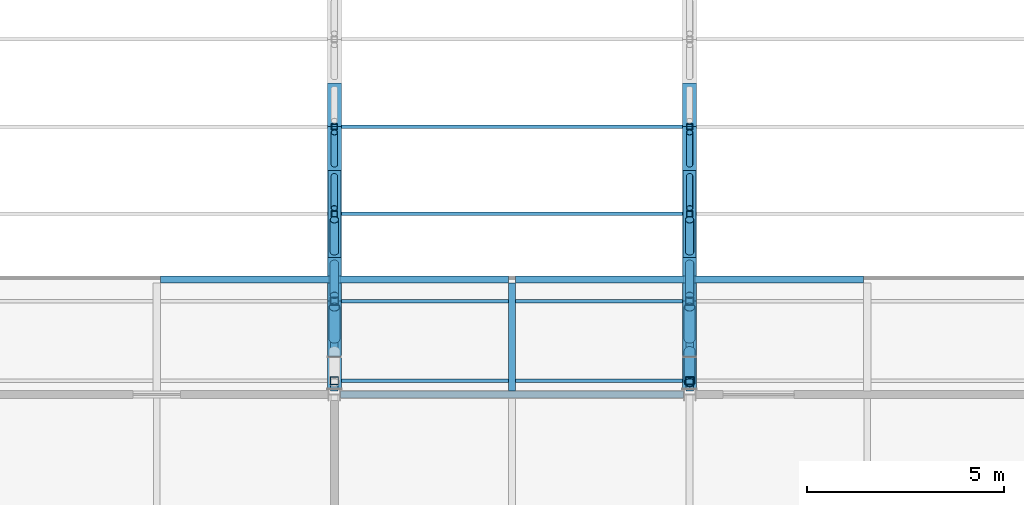
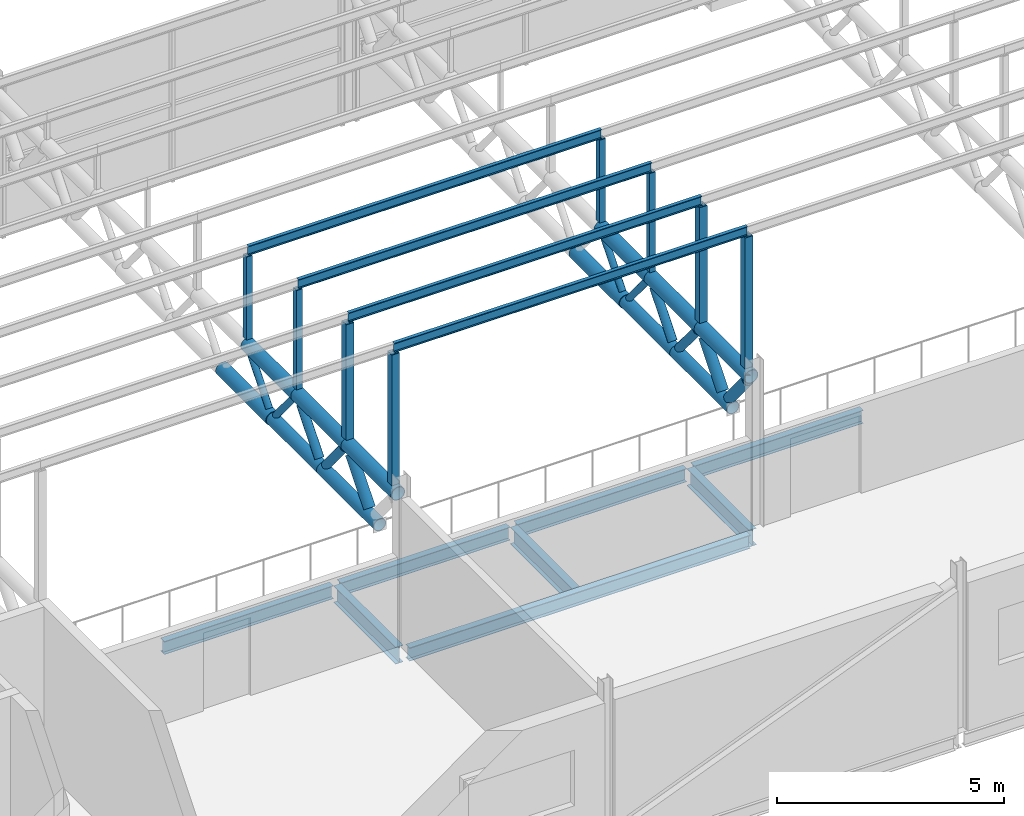
# One storey, part 51 of 138: 35 members, 8 beams.
"""IFC4 building model written with IfcOpenShell, lengths in metres."""

from ifc_helpers import new_model, si_unit, direction, frame, origin, origin_2d, place, context, subcontext, project, spatial, hollow_rectangle, hollow_circle, i_section, extrude, material, material_profile, profile_set, type_object, element, save


model = new_model("IFC4")

# Units and contexts
model_context = context("Model", 3, precision=1e-05, world=origin(), true_north=direction((0.0, 1.0)))
body_context = subcontext(model_context, "Body", "Model", "MODEL_VIEW")
ifc_project = project(units=[si_unit("LENGTHUNIT", "METRE"), si_unit("AREAUNIT", "SQUARE_METRE"), si_unit("VOLUMEUNIT", "CUBIC_METRE"), si_unit("PLANEANGLEUNIT", "RADIAN"), si_unit("MASSUNIT", "GRAM", prefix="KILO")], contexts=[model_context])

# Site, building, storey
site_placement = place(None, origin())
site = spatial("IfcSite", under=ifc_project, at=site_placement, CompositionType="ELEMENT")
building_placement = place(site_placement, origin())
building = spatial("IfcBuilding", under=site, at=building_placement, Name="Corbel Yard City Hall", CompositionType="ELEMENT")
storey_placement = place(building_placement, frame((0.0, 0.0, 10.5)))
storey = spatial("IfcBuildingStorey", under=building, at=storey_placement, Name="L02", CompositionType="ELEMENT", Elevation=10.5)

# Beams
ifc_material_1 = material(Name="Steel Grade 300 (300 MPa yield)", Category="steel")
ifc_material_profile_1 = material_profile(ifc_material_1, i_section(OverallWidth=0.172119140625, OverallDepth=0.35888671875, WebThickness=0.008056640625, FlangeThickness=0.012939453125, at=origin_2d()), Name="360UB56.7")
ifc_profile_set_1 = profile_set([ifc_material_profile_1], Name="Steel Grade 300 (300 MPa yield)")
beam_type_1 = type_object("IfcBeamType", Name="Edge beam 360UB56.7", PredefinedType="BEAM", material=ifc_profile_set_1)
beam_placement = place(storey_placement, frame((99.157470703125, 9.0, -0.32958984375), z_axis=(1.0, 0.0, 0.0), x_axis=(0.0, 1.0, 0.0)))
element("IfcBeam", 1, at=beam_placement, inside=storey, type_object=beam_type_1, Name="Edge beam 360UB56.7 EB4 L02floor", PredefinedType="BEAM", context=body_context, shape_type="SweptSolid", body=[
    extrude(i_section(OverallWidth=0.172119140625, OverallDepth=0.35888671875, WebThickness=0.008056640625, FlangeThickness=0.012939453125, at=origin_2d()), origin(), (0.0, 0.0, 1.0), 8.68505859375),
])
ifc_material_profile_2 = material_profile(ifc_material_1, i_section(OverallWidth=0.18994140625, OverallDepth=0.4541015625, WebThickness=0.008544921875, FlangeThickness=0.0126953125, at=origin_2d()), Name="460UB67.1")
ifc_profile_set_2 = profile_set([ifc_material_profile_2], Name="Steel Grade 300 (300 MPa yield)")
beam_type_2 = type_object("IfcBeamType", Name="Gallery bracket 460UB67.1", PredefinedType="BEAM", material=ifc_profile_set_2)
for number, where, z_axis, x_axis, name in (
    (2, (99.0, 9.0859375, -0.376953125), (0.0, 1.0, 0.0), (-1.0, 0.0, 0.0), "Gallery bracket 460UB67.1 CB2 L02"),
    (3, (103.5, 9.0859375, -0.376953125), (0.0, 1.0, 0.0), (-1.0, 0.0, 0.0), "Gallery bracket 460UB67.1 CB2 L02"),
    (4, (108.0, 9.0859375, -0.376953125), (0.0, 1.0, 0.0), (-1.0, 0.0, 0.0), "Gallery bracket 460UB67.1 CB2 L02"),
):
    element("IfcBeam", number, at=place(storey_placement, frame(where, z_axis=z_axis, x_axis=x_axis)), inside=storey, type_object=beam_type_2, Name=name, PredefinedType="BEAM", context=body_context, shape_type="SweptSolid", body=[
        extrude(i_section(OverallWidth=0.18994140625, OverallDepth=0.4541015625, WebThickness=0.008544921875, FlangeThickness=0.0126953125, at=origin_2d()), origin(), (0.0, 0.0, 1.0), 2.7431640625),
    ])
ifc_material_profile_3 = material_profile(ifc_material_1, i_section(OverallWidth=0.1708984375, OverallDepth=0.35205078125, WebThickness=0.0068359375, FlangeThickness=0.009765625, at=origin_2d()), Name="360UB44.7")
ifc_profile_set_3 = profile_set([ifc_material_profile_3], Name="Steel Grade 300 (300 MPa yield)")
beam_type_3 = type_object("IfcBeamType", Name="Gallery edge beam 360UB44.7", PredefinedType="BEAM", material=ifc_profile_set_3)
for number, where, z_axis, x_axis, name in (
    (5, (94.594970703125, 11.91455078125, -0.325927734375), (1.0, 0.0, 0.0), (0.0, 1.0, 0.0), "Gallery edge beam 360UB44.7 EB13 L02"),
    (6, (99.094970703125, 11.91455078125, -0.325927734375), (1.0, 0.0, 0.0), (0.0, 1.0, 0.0), "Gallery edge beam 360UB44.7 EB13 L02"),
    (7, (103.594970703125, 11.91455078125, -0.325927734375), (1.0, 0.0, 0.0), (0.0, 1.0, 0.0), "Gallery edge beam 360UB44.7 EB13 L02"),
    (8, (108.094970703125, 11.91455078125, -0.325927734375), (1.0, 0.0, 0.0), (0.0, 1.0, 0.0), "Gallery edge beam 360UB44.7 EB13 L02"),
):
    element("IfcBeam", number, at=place(storey_placement, frame(where, z_axis=z_axis, x_axis=x_axis)), inside=storey, type_object=beam_type_3, Name=name, PredefinedType="BEAM", context=body_context, shape_type="SweptSolid", body=[
        extrude(i_section(OverallWidth=0.1708984375, OverallDepth=0.35205078125, WebThickness=0.0068359375, FlangeThickness=0.009765625, at=origin_2d()), origin(), (0.0, 0.0, 1.0), 4.31005859375),
    ])

# Members
ifc_material_2 = material(Name="Steel Grade C350L0", Category="steel")
ifc_material_profile_4 = material_profile(ifc_material_2, hollow_circle(Radius=0.161865234375, WallThickness=0.0126953125, at=origin_2d()), Name="323.9x12.7CHS")
ifc_profile_set_4 = profile_set([ifc_material_profile_4], Name="Steel Grade C350L0")
member_type_1 = type_object("IfcMemberType", Name="Hall roof truss bottom chord 323.9x12.7CHS", PredefinedType="CHORD", material=ifc_profile_set_4)
member_1_placement = place(storey_placement, frame((99.0, 9.95849609375, 2.59228515625), z_axis=(0.0, 1.0, 0.0), x_axis=(-1.0, 0.0, 0.0)))
element("IfcMember", 9, at=member_1_placement, inside=storey, type_object=member_type_1, Name="Hall roof truss bottom chord 323.9x12.7CHS TC2", PredefinedType="CHORD", context=body_context, shape_type="SweptSolid", body=[
    extrude(hollow_circle(Radius=0.161865234375, WallThickness=0.0126953125, at=origin_2d()), origin(), (0.0, 0.0, 1.0), 2.51171875),
])
member_2_placement = place(storey_placement, frame((99.0, 12.47021484375, 2.59228515625), z_axis=(0.0, 1.0, 0.0), x_axis=(-1.0, 0.0, 0.0)))
element("IfcMember", 10, at=member_2_placement, inside=storey, type_object=member_type_1, Name="Hall roof truss bottom chord 323.9x12.7CHS TC2", PredefinedType="CHORD", context=body_context, shape_type="SweptSolid", body=[
    extrude(hollow_circle(Radius=0.161865234375, WallThickness=0.0126953125, at=origin_2d()), origin(), (0.0, 0.0, 1.0), 2.2119140625),
])
member_3_placement = place(storey_placement, frame((108.0, 9.95849609375, 2.59228515625), z_axis=(0.0, 1.0, 0.0), x_axis=(-1.0, 0.0, 0.0)))
element("IfcMember", 11, at=member_3_placement, inside=storey, type_object=member_type_1, Name="Hall roof truss bottom chord 323.9x12.7CHS TC2", PredefinedType="CHORD", context=body_context, shape_type="SweptSolid", body=[
    extrude(hollow_circle(Radius=0.161865234375, WallThickness=0.0126953125, at=origin_2d()), origin(), (0.0, 0.0, 1.0), 2.51171875),
])
member_4_placement = place(storey_placement, frame((108.0, 12.47021484375, 2.59228515625), z_axis=(0.0, 1.0, 0.0), x_axis=(-1.0, 0.0, 0.0)))
element("IfcMember", 12, at=member_4_placement, inside=storey, type_object=member_type_1, Name="Hall roof truss bottom chord 323.9x12.7CHS TC2", PredefinedType="CHORD", context=body_context, shape_type="SweptSolid", body=[
    extrude(hollow_circle(Radius=0.161865234375, WallThickness=0.0126953125, at=origin_2d()), origin(), (0.0, 0.0, 1.0), 2.2119140625),
])
ifc_material_profile_5 = material_profile(ifc_material_2, hollow_circle(Radius=0.177734375, WallThickness=0.0126953125, at=origin_2d()), Name="355.6x12.7CHS")
ifc_profile_set_5 = profile_set([ifc_material_profile_5], Name="Steel Grade C350L0")
member_type_2 = type_object("IfcMemberType", Name="Hall roof truss bottom chord 355.6x12.7CHS", PredefinedType="CHORD", material=ifc_profile_set_5)
for number, where, z_axis, x_axis, name in (
    (13, (99.0, 14.68212890625, 2.59228515625), (0.0, 1.0, 0.0), (-1.0, 0.0, 0.0), "Hall roof truss bottom chord 355.6x12.7CHS TC3"),
    (14, (108.0, 14.68212890625, 2.59228515625), (0.0, 1.0, 0.0), (-1.0, 0.0, 0.0), "Hall roof truss bottom chord 355.6x12.7CHS TC3"),
):
    element("IfcMember", number, at=place(storey_placement, frame(where, z_axis=z_axis, x_axis=x_axis)), inside=storey, type_object=member_type_2, Name=name, PredefinedType="CHORD", context=body_context, shape_type="SweptSolid", body=[
        extrude(hollow_circle(Radius=0.177734375, WallThickness=0.0126953125, at=origin_2d()), origin(), (0.0, 0.0, 1.0), 2.2119140625),
    ])
ifc_material_profile_6 = material_profile(ifc_material_2, hollow_circle(Radius=0.084228515625, WallThickness=0.007080078125, at=origin_2d()), Name="168.3x7.1CHS")
ifc_profile_set_6 = profile_set([ifc_material_profile_6], Name="Steel Grade C350L0")
member_type_3 = type_object("IfcMemberType", Name="Hall roof truss diagonal 168.3x7.1CHS", PredefinedType="STRUT", material=ifc_profile_set_6)
for number, where, z_axis, x_axis, name in (
    (15, (99.0, 13.72412109375, 3.744384765625), (0.0, 0.639407153698, -0.768868318894), (-1.0, 0.0, 0.0), "Hall roof truss diagonal 168.3x7.1CHS TD3"),
    (16, (99.0, 14.830078125, 2.77001953125), (0.0, 0.639407153698, 0.768868318894), (-1.0, 0.0, 0.0), "Hall roof truss diagonal 168.3x7.1CHS TD3"),
    (17, (108.0, 13.72412109375, 3.744384765625), (0.0, 0.639407153698, -0.768868318894), (-1.0, 0.0, 0.0), "Hall roof truss diagonal 168.3x7.1CHS TD3"),
    (18, (108.0, 14.830078125, 2.77001953125), (0.0, 0.639407153698, 0.768868318894), (-1.0, 0.0, 0.0), "Hall roof truss diagonal 168.3x7.1CHS TD3"),
):
    element("IfcMember", number, at=place(storey_placement, frame(where, z_axis=z_axis, x_axis=x_axis)), inside=storey, type_object=member_type_3, Name=name, PredefinedType="STRUT", context=body_context, shape_type="SweptSolid", body=[
        extrude(hollow_circle(Radius=0.084228515625, WallThickness=0.007080078125, at=origin_2d()), origin(), (0.0, 0.0, 1.0), 1.267333984375),
    ])
ifc_material_profile_7 = material_profile(ifc_material_2, hollow_circle(Radius=0.109619140625, WallThickness=0.00830078125, at=origin_2d()), Name="219.1x8.2CHS")
ifc_profile_set_7 = profile_set([ifc_material_profile_7], Name="Steel Grade C350L0")
member_type_4 = type_object("IfcMemberType", Name="Hall roof truss diagonal 219.1x8.2CHS", PredefinedType="STRUT", material=ifc_profile_set_7)
for number, where, z_axis, x_axis, name in (
    (19, (99.0, 11.51220703125, 3.744384765625), (0.0, 0.639407153698, -0.768868318894), (-1.0, 0.0, 0.0), "Hall roof truss diagonal 219.1x8.2CHS TD2"),
    (20, (99.0, 12.6181640625, 2.77001953125), (0.0, 0.639407153698, 0.768868318894), (-1.0, 0.0, 0.0), "Hall roof truss diagonal 219.1x8.2CHS TD2"),
    (21, (108.0, 11.51220703125, 3.744384765625), (0.0, 0.639407153698, -0.768868318894), (-1.0, 0.0, 0.0), "Hall roof truss diagonal 219.1x8.2CHS TD2"),
    (22, (108.0, 12.6181640625, 2.77001953125), (0.0, 0.639407153698, 0.768868318894), (-1.0, 0.0, 0.0), "Hall roof truss diagonal 219.1x8.2CHS TD2"),
):
    element("IfcMember", number, at=place(storey_placement, frame(where, z_axis=z_axis, x_axis=x_axis)), inside=storey, type_object=member_type_4, Name=name, PredefinedType="STRUT", context=body_context, shape_type="SweptSolid", body=[
        extrude(hollow_circle(Radius=0.109619140625, WallThickness=0.00830078125, at=origin_2d()), origin(), (0.0, 0.0, 1.0), 1.267333984375),
    ])
ifc_material_profile_8 = material_profile(ifc_material_2, hollow_circle(Radius=0.136474609375, WallThickness=0.00927734375, at=origin_2d()), Name="273.1x9.3CHS")
ifc_profile_set_8 = profile_set([ifc_material_profile_8], Name="Steel Grade C350L0")
member_type_5 = type_object("IfcMemberType", Name="Hall roof truss diagonal 273.1x9.3CHS", PredefinedType="STRUT", material=ifc_profile_set_8)
for number, where, z_axis, x_axis, name in (
    (23, (99.0, 10.40625, 2.77001953125), (0.0, 0.639407153698, 0.768868318894), (-1.0, 0.0, 0.0), "Hall roof truss diagonal 273.1x9.3CHS TD1"),
    (24, (108.0, 9.30029296875, 3.744384765625), (0.0, 0.639407153698, -0.768868318894), (-1.0, 0.0, 0.0), "Hall roof truss diagonal 273.1x9.3CHS TD1"),
    (25, (108.0, 10.40625, 2.77001953125), (0.0, 0.639407153698, 0.768868318894), (-1.0, 0.0, 0.0), "Hall roof truss diagonal 273.1x9.3CHS TD1"),
):
    element("IfcMember", number, at=place(storey_placement, frame(where, z_axis=z_axis, x_axis=x_axis)), inside=storey, type_object=member_type_5, Name=name, PredefinedType="STRUT", context=body_context, shape_type="SweptSolid", body=[
        extrude(hollow_circle(Radius=0.136474609375, WallThickness=0.00927734375, at=origin_2d()), origin(), (0.0, 0.0, 1.0), 1.267333984375),
    ])
ifc_material_profile_9 = material_profile(ifc_material_2, hollow_circle(Radius=0.177734375, WallThickness=0.0126953125, at=origin_2d()), Name="355.6x12.7CHS")
ifc_profile_set_9 = profile_set([ifc_material_profile_9], Name="Steel Grade C350L0")
member_type_6 = type_object("IfcMemberType", Name="Hall roof truss top chord 355.6x12.7CHS", PredefinedType="CHORD", material=ifc_profile_set_9)
member_5_placement = place(storey_placement, frame((99.0, 9.152587890625, 3.922119140625), z_axis=(0.0, 1.0, 0.0), x_axis=(-1.0, 0.0, 0.0)))
element("IfcMember", 26, at=member_5_placement, inside=storey, type_object=member_type_6, Name="Hall roof truss top chord 355.6x12.7CHS TC1", PredefinedType="CHORD", context=body_context, shape_type="SweptSolid", body=[
    extrude(hollow_circle(Radius=0.177734375, WallThickness=0.0126953125, at=origin_2d()), origin(), (0.0, 0.0, 1.0), 2.211669921875),
])
for number, where, z_axis, x_axis, name in (
    (27, (99.0, 11.3642578125, 3.922119140625), (0.0, 1.0, 0.0), (-1.0, 0.0, 0.0), "Hall roof truss top chord 355.6x12.7CHS TC1"),
    (28, (99.0, 13.576171875, 3.922119140625), (0.0, 1.0, 0.0), (-1.0, 0.0, 0.0), "Hall roof truss top chord 355.6x12.7CHS TC1"),
):
    element("IfcMember", number, at=place(storey_placement, frame(where, z_axis=z_axis, x_axis=x_axis)), inside=storey, type_object=member_type_6, Name=name, PredefinedType="CHORD", context=body_context, shape_type="SweptSolid", body=[
        extrude(hollow_circle(Radius=0.177734375, WallThickness=0.0126953125, at=origin_2d()), origin(), (0.0, 0.0, 1.0), 2.2119140625),
    ])
member_6_placement = place(storey_placement, frame((108.0, 9.152587890625, 3.922119140625), z_axis=(0.0, 1.0, 0.0), x_axis=(-1.0, 0.0, 0.0)))
element("IfcMember", 29, at=member_6_placement, inside=storey, type_object=member_type_6, Name="Hall roof truss top chord 355.6x12.7CHS TC1", PredefinedType="CHORD", context=body_context, shape_type="SweptSolid", body=[
    extrude(hollow_circle(Radius=0.177734375, WallThickness=0.0126953125, at=origin_2d()), origin(), (0.0, 0.0, 1.0), 2.211669921875),
])
for number, where, z_axis, x_axis, name in (
    (30, (108.0, 11.3642578125, 3.922119140625), (0.0, 1.0, 0.0), (-1.0, 0.0, 0.0), "Hall roof truss top chord 355.6x12.7CHS TC1"),
    (31, (108.0, 13.576171875, 3.922119140625), (0.0, 1.0, 0.0), (-1.0, 0.0, 0.0), "Hall roof truss top chord 355.6x12.7CHS TC1"),
):
    element("IfcMember", number, at=place(storey_placement, frame(where, z_axis=z_axis, x_axis=x_axis)), inside=storey, type_object=member_type_6, Name=name, PredefinedType="CHORD", context=body_context, shape_type="SweptSolid", body=[
        extrude(hollow_circle(Radius=0.177734375, WallThickness=0.0126953125, at=origin_2d()), origin(), (0.0, 0.0, 1.0), 2.2119140625),
    ])
ifc_material_profile_10 = material_profile(ifc_material_1, i_section(OverallWidth=0.090087890625, OverallDepth=0.25, WebThickness=0.008056640625, FlangeThickness=0.014892578125, at=origin_2d()), Name="250PFC")
ifc_profile_set_10 = profile_set([ifc_material_profile_10], Name="Steel Grade 300 (300 MPa yield)")
member_type_7 = type_object("IfcMemberType", Name="Purlin 250PFC", PredefinedType="PURLIN", material=ifc_profile_set_10)
for number, where, z_axis, x_axis, name in (
    (32, (99.0, 9.3525390625, 7.74560546875), (1.0, 0.0, 0.0), (0.0, 1.0, 0.0), "Purlin 250PFC PU1"),
    (33, (99.0, 11.3642578125, 7.343017578125), (1.0, 0.0, 0.0), (0.0, 1.0, 0.0), "Purlin 250PFC PU1"),
    (34, (99.0, 13.576171875, 6.900634765625), (1.0, 0.0, 0.0), (0.0, 1.0, 0.0), "Purlin 250PFC PU1"),
    (35, (99.0, 15.7880859375, 6.45849609375), (1.0, 0.0, 0.0), (0.0, 1.0, 0.0), "Purlin 250PFC PU1"),
):
    element("IfcMember", number, at=place(storey_placement, frame(where, z_axis=z_axis, x_axis=x_axis)), inside=storey, type_object=member_type_7, Name=name, PredefinedType="PURLIN", context=body_context, shape_type="SweptSolid", body=[
        extrude(i_section(OverallWidth=0.090087890625, OverallDepth=0.25, WebThickness=0.008056640625, FlangeThickness=0.014892578125, at=origin_2d()), origin(), (0.0, 0.0, 1.0), 9.0),
    ])
ifc_material_3 = material(Name="Steel Grade C450L0", Category="steel")
ifc_material_profile_11 = material_profile(ifc_material_3, hollow_rectangle(XDim=0.14990234375, YDim=0.14990234375, WallThickness=0.009033203125, at=origin_2d()), Name="150x150x9.0SHS")
ifc_profile_set_11 = profile_set([ifc_material_profile_11], Name="Steel Grade C450L0")
member_type_8 = type_object("IfcMemberType", Name="Roof post 150x150x9.0SHS", PredefinedType="POST", material=ifc_profile_set_11)
member_7_placement = place(storey_placement, frame((99.0, 13.576171875, 4.10009765625), z_axis=(0.0, 0.0, 1.0), x_axis=(1.0, 0.0, 0.0)))
element("IfcMember", 36, at=member_7_placement, inside=storey, type_object=member_type_8, Name="Roof post 150x150x9.0SHS RP2", PredefinedType="POST", context=body_context, shape_type="SweptSolid", body=[
    extrude(hollow_rectangle(XDim=0.14990234375, YDim=0.14990234375, WallThickness=0.009033203125, at=origin_2d()), origin(), (0.0, 0.0, 1.0), 2.675537109375),
])
member_8_placement = place(storey_placement, frame((99.0, 15.7880859375, 4.10009765625), z_axis=(0.0, 0.0, 1.0), x_axis=(1.0, 0.0, 0.0)))
element("IfcMember", 37, at=member_8_placement, inside=storey, type_object=member_type_8, Name="Roof post 150x150x9.0SHS RP2", PredefinedType="POST", context=body_context, shape_type="SweptSolid", body=[
    extrude(hollow_rectangle(XDim=0.14990234375, YDim=0.14990234375, WallThickness=0.009033203125, at=origin_2d()), origin(), (0.0, 0.0, 1.0), 2.2333984375),
])
member_9_placement = place(storey_placement, frame((108.0, 13.576171875, 4.10009765625), z_axis=(0.0, 0.0, 1.0), x_axis=(1.0, 0.0, 0.0)))
element("IfcMember", 38, at=member_9_placement, inside=storey, type_object=member_type_8, Name="Roof post 150x150x9.0SHS RP2", PredefinedType="POST", context=body_context, shape_type="SweptSolid", body=[
    extrude(hollow_rectangle(XDim=0.14990234375, YDim=0.14990234375, WallThickness=0.009033203125, at=origin_2d()), origin(), (0.0, 0.0, 1.0), 2.675537109375),
])
member_10_placement = place(storey_placement, frame((108.0, 15.7880859375, 4.10009765625), z_axis=(0.0, 0.0, 1.0), x_axis=(1.0, 0.0, 0.0)))
element("IfcMember", 39, at=member_10_placement, inside=storey, type_object=member_type_8, Name="Roof post 150x150x9.0SHS RP2", PredefinedType="POST", context=body_context, shape_type="SweptSolid", body=[
    extrude(hollow_rectangle(XDim=0.14990234375, YDim=0.14990234375, WallThickness=0.009033203125, at=origin_2d()), origin(), (0.0, 0.0, 1.0), 2.2333984375),
])
ifc_material_profile_12 = material_profile(ifc_material_3, hollow_rectangle(XDim=0.199951171875, YDim=0.199951171875, WallThickness=0.009033203125, at=origin_2d()), Name="200x200x9.0SHS")
ifc_profile_set_12 = profile_set([ifc_material_profile_12], Name="Steel Grade C450L0")
member_type_9 = type_object("IfcMemberType", Name="Roof post 200x200x9.0SHS", PredefinedType="POST", material=ifc_profile_set_12)
member_11_placement = place(storey_placement, frame((99.0, 9.3525390625, 4.10009765625), z_axis=(0.0, 0.0, 1.0), x_axis=(1.0, 0.0, 0.0)))
element("IfcMember", 40, at=member_11_placement, inside=storey, type_object=member_type_9, Name="Roof post 200x200x9.0SHS RP1", PredefinedType="POST", context=body_context, shape_type="SweptSolid", body=[
    extrude(hollow_rectangle(XDim=0.199951171875, YDim=0.199951171875, WallThickness=0.009033203125, at=origin_2d()), origin(), (0.0, 0.0, 1.0), 3.5205078125),
])
member_12_placement = place(storey_placement, frame((99.0, 11.3642578125, 4.10009765625), z_axis=(0.0, 0.0, 1.0), x_axis=(1.0, 0.0, 0.0)))
element("IfcMember", 41, at=member_12_placement, inside=storey, type_object=member_type_9, Name="Roof post 200x200x9.0SHS RP1", PredefinedType="POST", context=body_context, shape_type="SweptSolid", body=[
    extrude(hollow_rectangle(XDim=0.199951171875, YDim=0.199951171875, WallThickness=0.009033203125, at=origin_2d()), origin(), (0.0, 0.0, 1.0), 3.117919921875),
])
member_13_placement = place(storey_placement, frame((108.0, 9.3525390625, 4.10009765625), z_axis=(0.0, 0.0, 1.0), x_axis=(1.0, 0.0, 0.0)))
element("IfcMember", 42, at=member_13_placement, inside=storey, type_object=member_type_9, Name="Roof post 200x200x9.0SHS RP1", PredefinedType="POST", context=body_context, shape_type="SweptSolid", body=[
    extrude(hollow_rectangle(XDim=0.199951171875, YDim=0.199951171875, WallThickness=0.009033203125, at=origin_2d()), origin(), (0.0, 0.0, 1.0), 3.5205078125),
])
member_14_placement = place(storey_placement, frame((108.0, 11.3642578125, 4.10009765625), z_axis=(0.0, 0.0, 1.0), x_axis=(1.0, 0.0, 0.0)))
element("IfcMember", 43, at=member_14_placement, inside=storey, type_object=member_type_9, Name="Roof post 200x200x9.0SHS RP1", PredefinedType="POST", context=body_context, shape_type="SweptSolid", body=[
    extrude(hollow_rectangle(XDim=0.199951171875, YDim=0.199951171875, WallThickness=0.009033203125, at=origin_2d()), origin(), (0.0, 0.0, 1.0), 3.117919921875),
])

save(model, "model.ifc")
